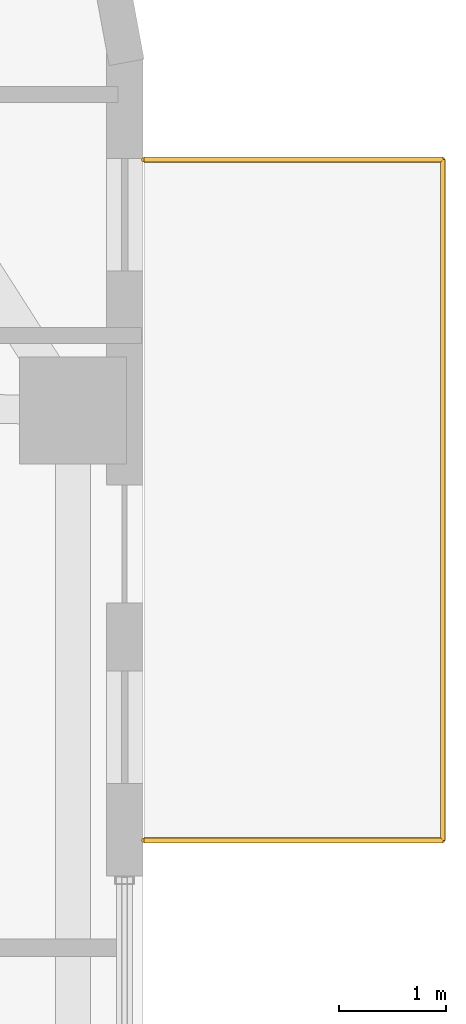
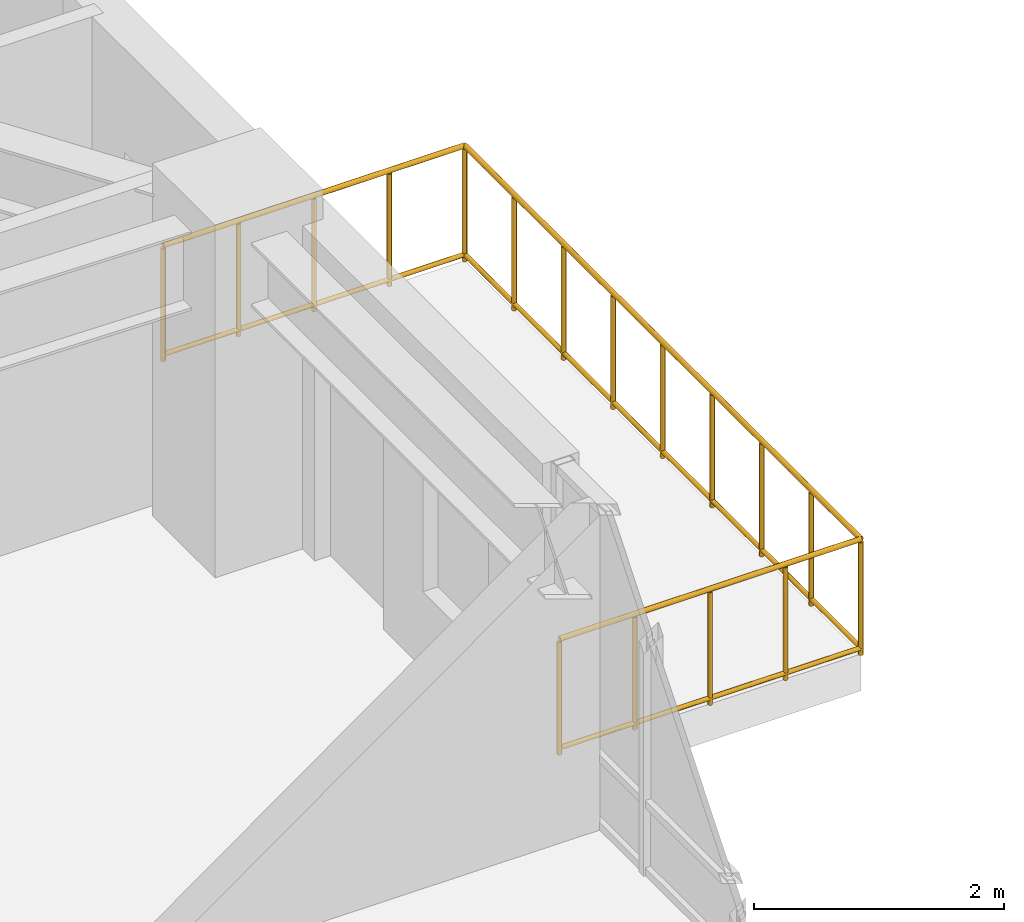
# One storey, part 9 of 9: 1 railing.
"""IFC4 building model written with IfcOpenShell, lengths in metres."""

import ifcopenshell
import ifcopenshell.guid

model = None  # the IFC model being written
_history = None  # IfcOwnerHistory: only IFC2X3 demands one
_inside = {}  # id of a spatial element -> (the spatial element, [elements in it])
_under = {}  # id of a project, library or spatial element -> (it, [spatial elements below it])
_declared = {}  # id of a project -> (the project, [libraries it declares])
_typed = {}  # id of a type object -> (the type object, [elements of that type])
_made_of = {}  # id of a material, layer set ... -> (it, [elements and type objects made of it])


def new_model(schema):
    """Start an empty IFC model of exactly this schema.

    Asked for "IFC4X3", IfcOpenShell would pick the latest addendum, in which some entities
    have other attributes; the version numbers below select the first issue.
    IFC2X3 requires an IfcOwnerHistory on every rooted entity: one is made here for all.
    """
    global model, _history
    if schema == "IFC4X3":
        model = ifcopenshell.file(schema_version=(4, 3, 0, 0))
    else:
        model = ifcopenshell.file(schema=schema)
    _inside.clear()
    _under.clear()
    _declared.clear()
    _typed.clear()
    _made_of.clear()
    _history = None
    if model.schema == "IFC2X3":
        org = make("IfcOrganization", Name="unknown")
        user = make(
            "IfcPersonAndOrganization",
            ThePerson=make("IfcPerson", FamilyName="unknown"),
            TheOrganization=org,
        )
        app = make(
            "IfcApplication",
            ApplicationDeveloper=org,
            Version="unknown",
            ApplicationFullName="unknown",
            ApplicationIdentifier="unknown",
        )
        _history = make(
            "IfcOwnerHistory",
            OwningUser=user,
            OwningApplication=app,
            ChangeAction="ADDED",
            CreationDate=0,
        )
    return model


def make(cls, **values):
    """One entity of the class cls with the attributes given. An attribute that is None is left unset."""
    return model.create_entity(
        cls, **{name: value for name, value in values.items() if value is not None}
    )


def rooted(cls, **values):
    """An entity with a GlobalId (a new one), such as an element, a storey or a relation."""
    return make(cls, GlobalId=ifcopenshell.guid.new(), OwnerHistory=_history, **values)


def si_unit(unit_type, name, prefix=None):
    """IfcSIUnit, for example si_unit("LENGTHUNIT", "METRE", prefix="MILLI")."""
    return make("IfcSIUnit", UnitType=unit_type, Prefix=prefix, Name=name)


def assignment(units):
    """IfcUnitAssignment: the units of a project."""
    return None if units is None else make("IfcUnitAssignment", Units=units)


def point(xyz):
    """IfcCartesianPoint."""
    return None if xyz is None else make("IfcCartesianPoint", Coordinates=xyz)


def direction(xyz):
    """IfcDirection."""
    return None if xyz is None else make("IfcDirection", DirectionRatios=xyz)


def frame(location, z_axis=None, x_axis=None):
    """IfcAxis2Placement3D, a coordinate frame: its origin and axes. An axis left out is left unset."""
    return make(
        "IfcAxis2Placement3D",
        Location=point(location),
        Axis=direction(z_axis),
        RefDirection=direction(x_axis),
    )


def frame_2d(location, x_axis=None):
    """IfcAxis2Placement2D, a coordinate frame in the plane: its origin and x axis."""
    return make(
        "IfcAxis2Placement2D", Location=point(location), RefDirection=direction(x_axis)
    )


def origin():
    """The frame at (0, 0, 0) with its axes left unset."""
    return frame((0.0, 0.0, 0.0))


def origin_2d():
    """The frame at (0, 0) in the plane with its x axis left unset."""
    return frame_2d((0.0, 0.0))


def place(relative_to, where):
    """IfcLocalPlacement: puts the frame where relative to a parent placement (None: the world)."""
    return make(
        "IfcLocalPlacement", PlacementRelTo=relative_to, RelativePlacement=where
    )


def context(
    kind, dimensions, precision=None, world=None, true_north=None, identifier=None
):
    """IfcGeometricRepresentationContext, for example the 3D "Model" context."""
    return make(
        "IfcGeometricRepresentationContext",
        ContextIdentifier=identifier,
        ContextType=kind,
        CoordinateSpaceDimension=dimensions,
        Precision=precision,
        WorldCoordinateSystem=world,
        TrueNorth=true_north,
    )


def subcontext(parent, identifier, kind, view, scale=None):
    """IfcGeometricRepresentationSubContext, for example "Body" below "Model"."""
    return make(
        "IfcGeometricRepresentationSubContext",
        ContextIdentifier=identifier,
        ContextType=kind,
        ParentContext=parent,
        TargetScale=scale,
        TargetView=view,
    )


def project(units=None, contexts=None):
    """IfcProject with its units and contexts."""
    return rooted(
        "IfcProject",
        Name="project",
        RepresentationContexts=contexts,
        UnitsInContext=assignment(units),
    )


def spatial(cls, under=None, at=None, **own):
    """A site, building, storey or space (cls), placed at a placement, below another one or the project."""
    s = rooted(cls, ObjectPlacement=at, **own)
    if under is not None:
        _under.setdefault(under.id(), (under, []))[1].append(s)
    return s


def profile(cls, at=None, kind="AREA", **sizes):
    """A parametric profile (cls). Its sizes go by their IFC names, for example OverallWidth=200.0."""
    return make(cls, ProfileType=kind, Position=at, **sizes)


def circle(**sizes):
    """IfcCircleProfileDef."""
    return profile("IfcCircleProfileDef", **sizes)


def extrude(swept, where, along, depth):
    """IfcExtrudedAreaSolid: the profile swept, set in the frame where, extruded along a direction by depth."""
    return make(
        "IfcExtrudedAreaSolid",
        SweptArea=swept,
        Position=where,
        ExtrudedDirection=direction(along),
        Depth=depth,
    )


def shape(context_of_items, identifier, shape_type, items):
    """IfcShapeRepresentation: the items that make up one representation, for example the "Body"."""
    return make(
        "IfcShapeRepresentation",
        ContextOfItems=context_of_items,
        RepresentationIdentifier=identifier,
        RepresentationType=shape_type,
        Items=items,
    )


def material(Name=None, Category=None):
    """IfcMaterial."""
    return make("IfcMaterial", Name=Name, Category=Category)


def made_of(thing, what):
    """Note that an element or type object is made of a material, layer set ...; save() writes the relation."""
    if what is not None:
        _made_of.setdefault(what.id(), (what, []))[1].append(thing)
    return thing


def type_object(cls, material=None, **own):
    """A type object (cls), such as IfcWallType, which elements share."""
    return made_of(rooted(cls, **own), material)


def element(
    cls,
    number,
    at=None,
    inside=None,
    cuts=None,
    type_object=None,
    material=None,
    context=None,
    identifier="Body",
    shape_type=None,
    held_by="IfcProductDefinitionShape",
    body=None,
    shapes=None,
    **own,
):
    """One element of the class cls, such as IfcWall. Its Tag is "e" and its number.

    at: its placement. inside: the storey or other place that contains it. cuts: it is an
    opening in that element (IfcRelVoidsElement). A single representation is given by context,
    identifier, shape_type and body (its items); several are given by shapes. held_by: the class
    of the entity that holds the representations. save() writes the other relations.
    """
    e = rooted(cls, Tag="e%d" % number, ObjectPlacement=at, **own)
    if body is not None:
        shapes = [shape(context, identifier, shape_type, body)]
    if shapes is not None:
        e.Representation = make(held_by, Representations=shapes)
    if inside is not None:
        _inside.setdefault(inside.id(), (inside, []))[1].append(e)
    if cuts is not None:
        rooted(
            "IfcRelVoidsElement", RelatingBuildingElement=cuts, RelatedOpeningElement=e
        )
    if type_object is not None:
        _typed.setdefault(type_object.id(), (type_object, []))[1].append(e)
    return made_of(e, material)


def aggregate(whole, parts):
    """IfcRelAggregates: a whole, such as a stair, and the parts it consists of."""
    return rooted("IfcRelAggregates", RelatingObject=whole, RelatedObjects=parts)


def save(model, path):
    """Write the relations noted so far, then the file.

    IfcRelAggregates (storeys below a building ...), IfcRelContainedInSpatialStructure (elements
    in a storey), IfcRelDefinesByType, IfcRelAssociatesMaterial and IfcRelDeclares: one each for
    every whole, place, type object, material and project.
    """
    for whole, parts in _under.values():
        aggregate(whole, parts)
    for where, things in _inside.values():
        rooted(
            "IfcRelContainedInSpatialStructure",
            RelatedElements=things,
            RelatingStructure=where,
        )
    for kind, things in _typed.values():
        rooted("IfcRelDefinesByType", RelatedObjects=things, RelatingType=kind)
    for what, things in _made_of.values():
        rooted("IfcRelAssociatesMaterial", RelatedObjects=things, RelatingMaterial=what)
    for by, libraries in _declared.values():
        rooted("IfcRelDeclares", RelatingContext=by, RelatedDefinitions=libraries)
    model.write(path)


model = new_model("IFC4")

# Units and contexts
model_context = context("Model", 3, precision=1e-05, world=origin(), true_north=direction((0.0, 1.0)))
body_context = subcontext(model_context, "Body", "Model", "MODEL_VIEW")
ifc_project = project(units=[si_unit("LENGTHUNIT", "METRE"), si_unit("AREAUNIT", "SQUARE_METRE"), si_unit("VOLUMEUNIT", "CUBIC_METRE"), si_unit("PLANEANGLEUNIT", "RADIAN"), si_unit("MASSUNIT", "GRAM", prefix="KILO"), si_unit("THERMODYNAMICTEMPERATUREUNIT", "KELVIN"), si_unit("POWERUNIT", "WATT")], contexts=[model_context])

# Site, building, storey
site_placement = place(None, origin())
site = spatial("IfcSite", under=ifc_project, at=site_placement, CompositionType="ELEMENT")
building_placement = place(site_placement, origin())
building = spatial("IfcBuilding", under=site, at=building_placement, Name="Skarre Station Tower", CompositionType="ELEMENT")
storey_placement = place(building_placement, frame((0.0, 0.0, 108.449951171875)))
storey = spatial("IfcBuildingStorey", under=building, at=storey_placement, Name="L28", CompositionType="ELEMENT", Elevation=108.449951171875)

# Railing
ifc_material = material(Name="Stainless Steel Grade 316L & Laminated Safety Glass", Category="steel")
railing_type = type_object("IfcRailingType", Name="Laminated Glass & Stainless Terrace Guardrail 1150", PredefinedType="BALUSTRADE", material=ifc_material)
railing_placement = place(storey_placement, frame((57.22802734375, 31.35009765625, 0.0)))
element("IfcRailing", 1, at=railing_placement, inside=storey, type_object=railing_type, Name="L28 SG-1 Conservatory Terrace Guardrail", PredefinedType="BALUSTRADE", context=body_context, shape_type="SweptSolid", body=[
    extrude(circle(Radius=0.02392578125, at=origin_2d()), frame((0.0, 0.0, 1.1259765625), z_axis=(1.0, 0.0, 0.0), x_axis=(0.0, 1.0, 0.0)), (0.0, 0.0, 1.0), 2.7900390625),
    extrude(circle(Radius=0.02099609375, at=origin_2d()), frame((0.0, 0.0, 0.06005859375), z_axis=(1.0, 0.0, 0.0), x_axis=(0.0, 1.0, 0.0)), (0.0, 0.0, 1.0), 2.7900390625),
    extrude(circle(Radius=0.02392578125, at=origin_2d()), frame((2.7900390625, 0.0, 1.1259765625), z_axis=(0.0, -1.0, 0.0), x_axis=(1.0, 0.0, 0.0)), (0.0, 0.0, 1.0), 6.34814453125),
    extrude(circle(Radius=0.02099609375, at=origin_2d()), frame((2.7900390625, 0.0, 0.06005859375), z_axis=(0.0, -1.0, 0.0), x_axis=(1.0, 0.0, 0.0)), (0.0, 0.0, 1.0), 6.34814453125),
    extrude(circle(Radius=0.02392578125, at=origin_2d()), frame((2.7900390625, -6.34814453125, 1.1259765625), z_axis=(-1.0, 0.0, 0.0), x_axis=(0.0, -1.0, 0.0)), (0.0, 0.0, 1.0), 2.7900390625),
    extrude(circle(Radius=0.02099609375, at=origin_2d()), frame((2.7900390625, -6.34814453125, 0.06005859375), z_axis=(-1.0, 0.0, 0.0), x_axis=(0.0, -1.0, 0.0)), (0.0, 0.0, 1.0), 2.7900390625),
    extrude(circle(Radius=0.02099609375, at=origin_2d()), origin(), (0.0, 0.0, 1.0), 1.101806640625),
    extrude(circle(Radius=0.02099609375, at=origin_2d()), frame((0.697509765625, 0.0, 0.0)), (0.0, 0.0, 1.0), 1.101806640625),
    extrude(circle(Radius=0.02099609375, at=origin_2d()), frame((1.39501953125, 0.0, 0.0)), (0.0, 0.0, 1.0), 1.101806640625),
    extrude(circle(Radius=0.02099609375, at=origin_2d()), frame((2.092529296875, 0.0, 0.0)), (0.0, 0.0, 1.0), 1.101806640625),
    extrude(circle(Radius=0.02099609375, at=origin_2d()), frame((2.7900390625, 0.0, 0.0)), (0.0, 0.0, 1.0), 1.101806640625),
    extrude(circle(Radius=0.02099609375, at=origin_2d()), frame((2.7900390625, -0.79345703125, 0.0)), (0.0, 0.0, 1.0), 1.101806640625),
    extrude(circle(Radius=0.02099609375, at=origin_2d()), frame((2.7900390625, -1.5869140625, 0.0)), (0.0, 0.0, 1.0), 1.101806640625),
    extrude(circle(Radius=0.02099609375, at=origin_2d()), frame((2.7900390625, -2.380615234375, 0.0)), (0.0, 0.0, 1.0), 1.101806640625),
    extrude(circle(Radius=0.02099609375, at=origin_2d()), frame((2.7900390625, -3.174072265625, 0.0)), (0.0, 0.0, 1.0), 1.101806640625),
    extrude(circle(Radius=0.02099609375, at=origin_2d()), frame((2.7900390625, -3.967529296875, 0.0)), (0.0, 0.0, 1.0), 1.101806640625),
    extrude(circle(Radius=0.02099609375, at=origin_2d()), frame((2.7900390625, -4.76123046875, 0.0)), (0.0, 0.0, 1.0), 1.101806640625),
    extrude(circle(Radius=0.02099609375, at=origin_2d()), frame((2.7900390625, -5.5546875, 0.0)), (0.0, 0.0, 1.0), 1.101806640625),
    extrude(circle(Radius=0.02099609375, at=origin_2d()), frame((2.7900390625, -6.34814453125, 0.0)), (0.0, 0.0, 1.0), 1.101806640625),
    extrude(circle(Radius=0.02099609375, at=origin_2d()), frame((2.092529296875, -6.34814453125, 0.0)), (0.0, 0.0, 1.0), 1.101806640625),
    extrude(circle(Radius=0.02099609375, at=origin_2d()), frame((1.39501953125, -6.34814453125, 0.0)), (0.0, 0.0, 1.0), 1.101806640625),
    extrude(circle(Radius=0.02099609375, at=origin_2d()), frame((0.697509765625, -6.34814453125, 0.0)), (0.0, 0.0, 1.0), 1.101806640625),
    extrude(circle(Radius=0.02099609375, at=origin_2d()), frame((0.0, -6.34814453125, 0.0)), (0.0, 0.0, 1.0), 1.101806640625),
])

save(model, "model.ifc")
